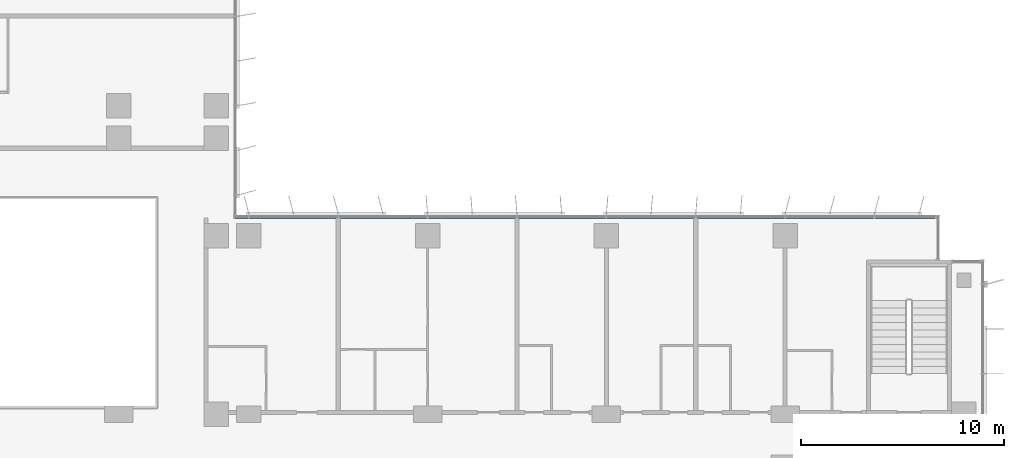
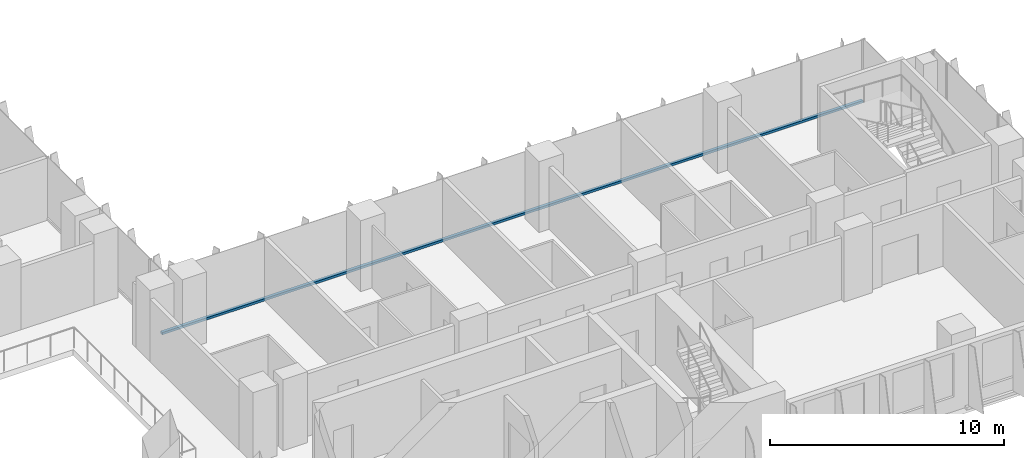
# One storey, part 3 of 22: 1 member, 1 element without a shape of its own.
"""IFC4 building model written with IfcOpenShell, lengths in metres."""

from ifc_helpers import new_model, si_unit, direction, frame, origin, origin_2d, place, context, subcontext, project, spatial, rectangle, extrude, material, material_profile, profile_set, type_object, element, aggregate, save


model = new_model("IFC4")

# Units and contexts
model_context = context("Model", 3, precision=1e-05, world=origin(), true_north=direction((0.0, 1.0)))
body_context = subcontext(model_context, "Body", "Model", "MODEL_VIEW")
ifc_project = project(units=[si_unit("LENGTHUNIT", "METRE"), si_unit("AREAUNIT", "SQUARE_METRE"), si_unit("VOLUMEUNIT", "CUBIC_METRE"), si_unit("PLANEANGLEUNIT", "RADIAN"), si_unit("MASSUNIT", "GRAM", prefix="KILO")], contexts=[model_context])

# Site, building, storey
site_placement = place(None, origin())
site = spatial("IfcSite", under=ifc_project, at=site_placement, CompositionType="ELEMENT")
building_placement = place(site_placement, origin())
building = spatial("IfcBuilding", under=site, at=building_placement, Name="Kemantara Hotel Tower", CompositionType="ELEMENT")
storey_placement = place(building_placement, frame((0.0, 0.0, 149.39990234375)))
storey = spatial("IfcBuildingStorey", under=building, at=storey_placement, Name="L36", CompositionType="ELEMENT", Elevation=149.39990234375)

# Curtain wall, member
ifc_material_1 = material(Name="Low-E tinted double insulated glass 36 mm", Category="glass")
curtain_wall_type = type_object("IfcCurtainWallType", Name="TOWER CURTAIN WALL, FRONT FACES", PredefinedType="USERDEFINED", material=ifc_material_1)
curtain_wall_placement = place(storey_placement, origin())
curtain_wall = element("IfcCurtainWall", 1, at=curtain_wall_placement, inside=storey, type_object=curtain_wall_type, Name="CW4 L36 T2-R13-1", ObjectType="TOWER CURTAIN WALL, FRONT FACES", PredefinedType="USERDEFINED")
ifc_material_2 = material(Name="Aluminium 6063-T6 bronze anodised", Category="aluminium")
ifc_material_profile = material_profile(ifc_material_2, rectangle(XDim=0.14990234375, YDim=0.1201171875, at=origin_2d()), Name="TOWER CURTAIN WALL, FRONT FACES TRANSOM")
ifc_profile_set = profile_set([ifc_material_profile], Name="Aluminium 6063-T6 bronze anodised")
member_type = type_object("IfcMemberType", Name="TOWER CURTAIN WALL, FRONT FACES TRANSOM", PredefinedType="USERDEFINED", material=ifc_profile_set)
member_placement = place(storey_placement, frame((61.25, 21.925048828125, 0.06005859375), z_axis=(-1.0, 0.0, 0.0), x_axis=(0.0, -1.0, 0.0)))
member = element("IfcMember", 2, at=member_placement, type_object=member_type, Name="CW4 sill transom T2-R13-1", ObjectType="TRANSOM", PredefinedType="USERDEFINED", context=body_context, shape_type="SweptSolid", body=[
    extrude(rectangle(XDim=0.14990234375, YDim=0.1201171875, at=origin_2d()), origin(), (0.0, 0.0, 1.0), 34.60009765625),
])
aggregate(curtain_wall, [member])

save(model, "model.ifc")
